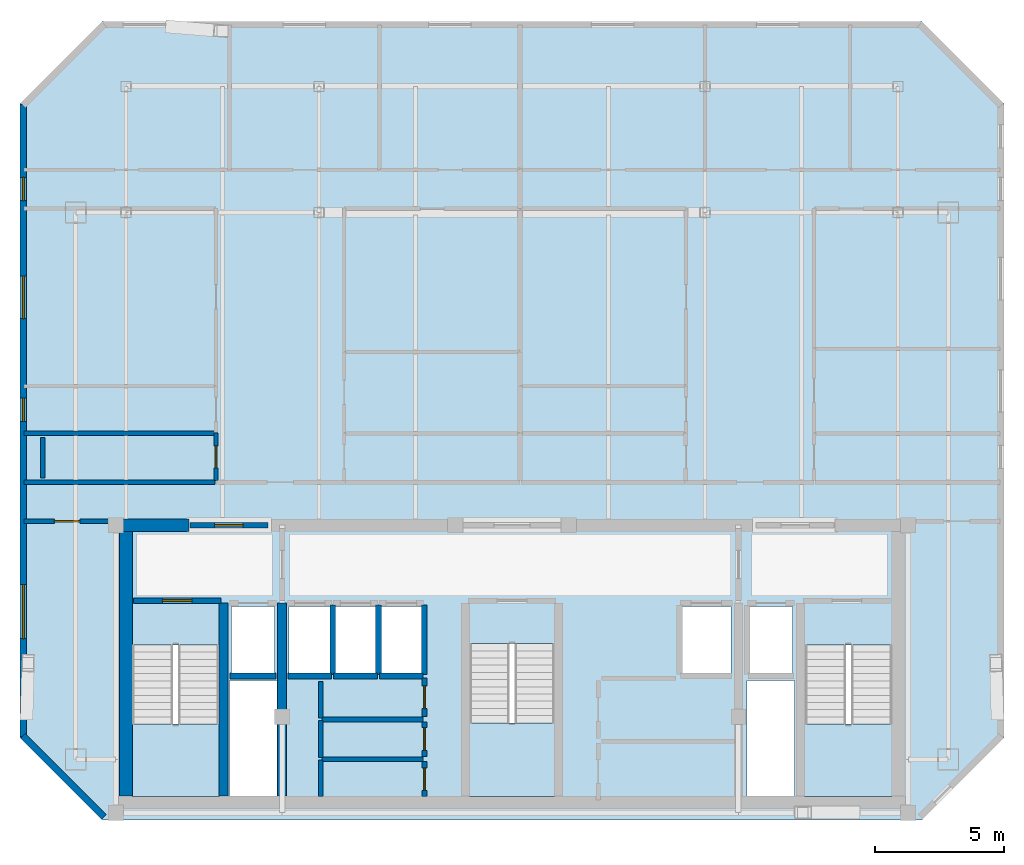
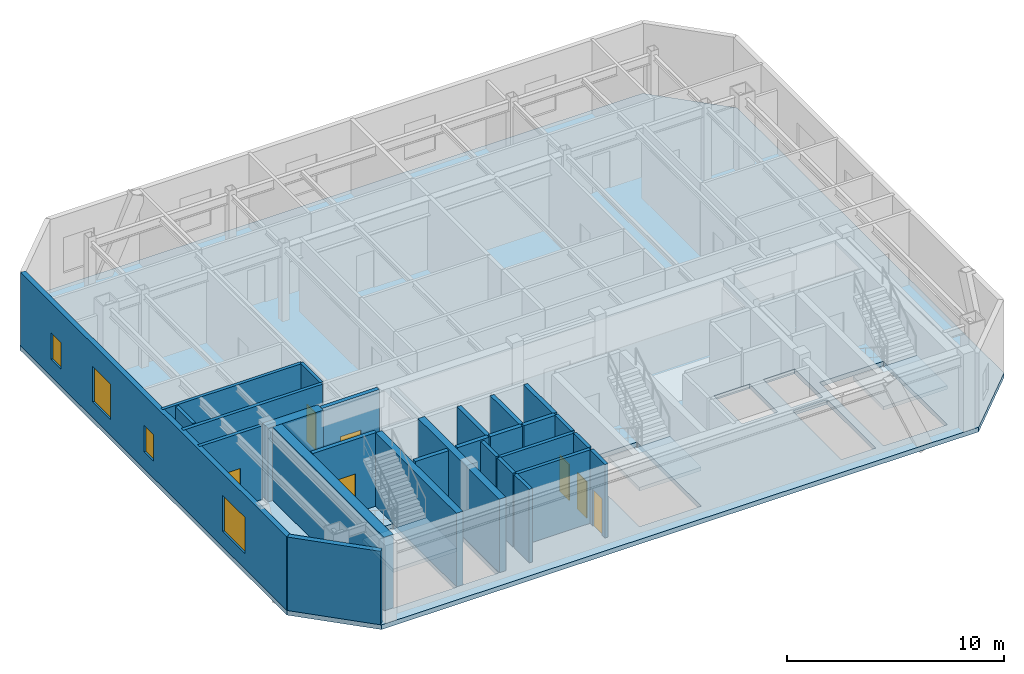
# One storey, part 2 of 7: 28 walls, 7 doors, 4 slabs, 4 windows, 11 openings, 3 elements without a shape of their own.
"""IFC4 building model written with IfcOpenShell, lengths in metres."""

from ifc_helpers import new_model, si_unit, direction, frame, frame_2d, origin, place, context, subcontext, project, spatial, polyline, rectangle, outline, extrude, material, layer, layer_set, type_object, element, fill, aggregate, save


model = new_model("IFC4")

# Units and contexts
model_context = context("Model", 3, precision=1e-05, world=origin(), true_north=direction((0.0, 1.0)))
body_context = subcontext(model_context, "Body", "Model", "MODEL_VIEW")
ifc_project = project(units=[si_unit("LENGTHUNIT", "METRE"), si_unit("AREAUNIT", "SQUARE_METRE"), si_unit("VOLUMEUNIT", "CUBIC_METRE"), si_unit("PLANEANGLEUNIT", "RADIAN"), si_unit("MASSUNIT", "GRAM", prefix="KILO")], contexts=[model_context])

# Site, building, storey
site_placement = place(None, origin())
site = spatial("IfcSite", under=ifc_project, at=site_placement, CompositionType="ELEMENT")
building_placement = place(site_placement, origin())
building = spatial("IfcBuilding", under=site, at=building_placement, Name="Ventersveld Concourse Tower", CompositionType="ELEMENT")
storey_placement = place(building_placement, frame((0.0, 0.0, 353.449951171875)))
storey = spatial("IfcBuildingStorey", under=building, at=storey_placement, Name="L87", CompositionType="ELEMENT", Elevation=353.449951171875)

# Slab
ifc_material_1 = material(Name="Concrete C50/60", Category="concrete")
ifc_layer_1 = layer(ifc_material_1, 0.260009765625)
ifc_layer_set_1 = layer_set([ifc_layer_1], Name="Concrete C50/60")
slab_type_1 = type_object("IfcSlabType", Name="SL-FLR-260", PredefinedType="FLOOR", material=ifc_layer_set_1)
slab_1_placement = place(storey_placement, frame((0.0, 0.0, -0.260009765625)))
element("IfcSlab", 1, at=slab_1_placement, inside=storey, type_object=slab_type_1, Name="L87 Composite Floor Slab", PredefinedType="FLOOR", context=body_context, shape_type="SweptSolid", body=[
    extrude(outline(polyline([(12.832763671875, 0.0), (44.667236328125, 0.0), (47.8671875, 3.199951171875), (47.8671875, 27.831298828125), (44.667236328125, 31.03125), (12.832763671875, 31.03125), (9.6328125, 27.831298828125), (9.6328125, 3.199951171875), (12.832763671875, 0.0)]), holes=[polyline([(13.97998046875, 6.794921875), (13.97998046875, 0.89990234375), (17.3798828125, 0.89990234375), (17.3798828125, 6.794921875), (13.97998046875, 6.794921875)]), polyline([(40.1201171875, 6.794921875), (40.1201171875, 0.89990234375), (43.52001953125, 0.89990234375), (43.52001953125, 6.794921875), (40.1201171875, 6.794921875)]), polyline([(27.10009765625, 6.844970703125), (27.10009765625, 0.89990234375), (30.39990234375, 0.89990234375), (30.39990234375, 6.844970703125), (27.10009765625, 6.844970703125)]), polyline([(17.85009765625, 5.699951171875), (19.530029296875, 5.699951171875), (19.530029296875, 8.300048828125), (17.85009765625, 8.300048828125), (17.85009765625, 5.699951171875)]), polyline([(37.969970703125, 5.699951171875), (39.64990234375, 5.699951171875), (39.64990234375, 8.300048828125), (37.969970703125, 8.300048828125), (37.969970703125, 5.699951171875)]), polyline([(35.35009765625, 5.699951171875), (37.25, 5.699951171875), (37.25, 8.300048828125), (35.35009765625, 8.300048828125), (35.35009765625, 5.699951171875)]), polyline([(20.090087890625, 5.699951171875), (21.68994140625, 5.699951171875), (21.68994140625, 8.300048828125), (20.090087890625, 8.300048828125), (20.090087890625, 5.699951171875)]), polyline([(21.8701171875, 5.699951171875), (23.469970703125, 5.699951171875), (23.469970703125, 8.300048828125), (21.8701171875, 8.300048828125), (21.8701171875, 5.699951171875)]), polyline([(23.64990234375, 5.699951171875), (25.25, 5.699951171875), (25.25, 8.300048828125), (23.64990234375, 8.300048828125), (23.64990234375, 5.699951171875)]), polyline([(17.780029296875, 0.919921875), (19.6201171875, 0.919921875), (19.6201171875, 5.419921875), (17.780029296875, 5.419921875), (17.780029296875, 0.919921875)]), polyline([(37.8798828125, 0.919921875), (39.719970703125, 0.919921875), (39.719970703125, 5.419921875), (37.8798828125, 5.419921875), (37.8798828125, 0.919921875)])]), origin(), (0.0, 0.0, 1.0), 0.260009765625),
])

# Stair, slab
stair_type_1 = type_object("IfcStairType", Name="ST-DOG-160", PredefinedType="HALF_TURN_STAIR", material=ifc_material_1)
stair_1_placement = place(storey_placement, origin())
stair_1 = element("IfcStair", 2, at=stair_1_placement, inside=storey, type_object=stair_type_1, Name="L87 Protected Tower Escape Stair ST-01", PredefinedType="HALF_TURN_STAIR")
ifc_layer_2 = layer(ifc_material_1, 0.199951171875)
ifc_layer_set_2 = layer_set([ifc_layer_2], Name="Concrete C50/60")
slab_type_2 = type_object("IfcSlabType", Name="SL-LND-200", PredefinedType="LANDING", material=ifc_layer_set_2)
slab_2_placement = place(storey_placement, frame((0.0, 0.0, 2.0)))
slab_2 = element("IfcSlab", 3, at=slab_2_placement, type_object=slab_type_2, Name="ST-01 landing 1", PredefinedType="LANDING", context=body_context, shape_type="SweptSolid", body=[
    extrude(outline(polyline([(13.97998046875, 3.719970703125), (13.97998046875, 0.89990234375), (17.3798828125, 0.89990234375), (17.3798828125, 3.719970703125), (13.97998046875, 3.719970703125)])), origin(), (0.0, 0.0, 1.0), 0.199951171875),
])
aggregate(stair_1, [slab_2])

stair_2_placement = place(storey_placement, origin())
stair_2 = element("IfcStair", 4, at=stair_2_placement, inside=storey, type_object=stair_type_1, Name="L87 Protected Tower Escape Stair ST-02", PredefinedType="HALF_TURN_STAIR")
slab_3_placement = place(storey_placement, frame((0.0, 0.0, 2.0)))
slab_3 = element("IfcSlab", 5, at=slab_3_placement, type_object=slab_type_2, Name="ST-02 landing 1", PredefinedType="LANDING", context=body_context, shape_type="SweptSolid", body=[
    extrude(outline(polyline([(40.1201171875, 3.719970703125), (40.1201171875, 0.89990234375), (43.52001953125, 0.89990234375), (43.52001953125, 3.719970703125), (40.1201171875, 3.719970703125)])), origin(), (0.0, 0.0, 1.0), 0.199951171875),
])
aggregate(stair_2, [slab_3])

stair_type_2 = type_object("IfcStairType", Name="ST-DOG-155", PredefinedType="HALF_TURN_STAIR", material=ifc_material_1)
stair_3_placement = place(storey_placement, origin())
stair_3 = element("IfcStair", 6, at=stair_3_placement, inside=storey, type_object=stair_type_2, Name="L87 Protected Central Core Escape Stair ST-03", PredefinedType="HALF_TURN_STAIR")
slab_4_placement = place(storey_placement, frame((0.0, 0.0, 2.0)))
slab_4 = element("IfcSlab", 7, at=slab_4_placement, type_object=slab_type_2, Name="ST-03 landing 1", PredefinedType="LANDING", context=body_context, shape_type="SweptSolid", body=[
    extrude(outline(polyline([(27.10009765625, 3.77001953125), (27.10009765625, 0.89990234375), (30.39990234375, 0.89990234375), (30.39990234375, 3.77001953125), (27.10009765625, 3.77001953125)])), origin(), (0.0, 0.0, 1.0), 0.199951171875),
])
aggregate(stair_3, [slab_4])

# Walls
ifc_layer_3 = layer(ifc_material_1, 0.35009765625)
ifc_layer_set_3 = layer_set([ifc_layer_3], Name="Concrete C50/60")
wall_type_1 = type_object("IfcWallType", Name="WL-CORE-350U", PredefinedType="SHEAR", material=ifc_layer_set_3)
for number, where, z_axis, x_axis, name in (
    (8, (17.5400390625, 0.919921875, 0.0), (0.0, 0.0, 1.0), (0.0, 1.0, 0.0), "L87 Core Internal Shear Web W-ST1-E"),
    (9, (19.820068359375, 0.919921875, 0.0), (0.0, 0.0, 1.0), (0.0, 1.0, 0.0), "L87 Core Internal Shear Web W-FF1-E"),
):
    element("IfcWall", number, at=place(storey_placement, frame(where, z_axis=z_axis, x_axis=x_axis)), inside=storey, type_object=wall_type_1, Name=name, PredefinedType="SHEAR", context=body_context, shape_type="SweptSolid", body=[
        extrude(rectangle(XDim=7.5, YDim=0.35009765625, at=frame_2d((3.75, 0.0))), origin(), (0.0, 0.0, 1.0), 4.14013671875),
    ])
ifc_layer_4 = layer(ifc_material_1, 0.5)
ifc_layer_set_4 = layer_set([ifc_layer_4], Name="Concrete C50/60")
wall_type_2 = type_object("IfcWallType", Name="WL-CORE-500", PredefinedType="SHEAR", material=ifc_layer_set_4)
wall_1_placement = place(storey_placement, frame((13.75, 0.919921875, 0.0), z_axis=(0.0, 0.0, 1.0), x_axis=(0.0, 1.0, 0.0)))
element("IfcWall", 10, at=wall_1_placement, inside=storey, type_object=wall_type_2, Name="L87 Rear Core West Shear Wall", PredefinedType="SHEAR", context=body_context, shape_type="SweptSolid", body=[
    extrude(rectangle(XDim=10.530029296875, YDim=0.5, at=frame_2d((5.26513671875, 0.0))), origin(), (0.0, 0.0, 1.0), 4.14013671875),
])
wall_2_placement = place(storey_placement, frame((13.25, 11.449951171875, 0.0), z_axis=(0.0, 0.0, 1.0), x_axis=(1.0, 0.0, 0.0)))
element("IfcWall", 11, at=wall_2_placement, inside=storey, type_object=wall_type_2, Name="L87 Rear Core North Shear Wall NW", PredefinedType="SHEAR", context=body_context, shape_type="SweptSolid", body=[
    extrude(rectangle(XDim=2.949951171875, YDim=0.5, at=frame_2d((1.47509765625, 0.0))), origin(), (0.0, 0.0, 1.0), 4.14013671875),
])

# Wall, opening, door
ifc_material_2 = material(Name="Fire-rated autoclaved aerated masonry blockwork", Category="masonry")
ifc_layer_5 = layer(ifc_material_2, 0.179931640625)
ifc_layer_set_5 = layer_set([ifc_layer_5], Name="Fire-rated autoclaved aerated masonry blockwork")
wall_type_3 = type_object("IfcWallType", Name="WL-CORR-180", PredefinedType="PARTITIONING", material=ifc_layer_set_5)
wall_3_placement = place(storey_placement, frame((25.35009765625, 0.89990234375, 0.0), z_axis=(0.0, 0.0, 1.0), x_axis=(0.0, 1.0, 0.0)))
wall_3 = element("IfcWall", 12, at=wall_3_placement, inside=storey, type_object=wall_type_3, Name="L87 Core Passage Wall SP-L87-RECB1S", PredefinedType="PARTITIONING", context=body_context, shape_type="SweptSolid", body=[
    extrude(rectangle(XDim=1.3701171875, YDim=0.179931640625, at=frame_2d((0.68505859375, 0.0))), origin(), (0.0, 0.0, 1.0), 4.14013671875),
])
opening_1_placement = place(wall_3_placement, frame((0.2451171875, 0.0, 0.0)))
opening_1 = element("IfcOpeningElement", 13, at=opening_1_placement, cuts=wall_3, Name="Opening FD5", PredefinedType="OPENING", context=body_context, shape_type="SweptSolid", body=[
    extrude(rectangle(XDim=0.8798828125, YDim=2.050048828125, at=frame_2d((0.43994140625, 1.02490234375))), frame((0.0, 0.10009765625, 0.0), z_axis=(0.0, -1.0, 0.0), x_axis=(1.0, 0.0, 0.0)), (0.0, 0.0, 1.0), 0.199951171875),
])
ifc_material_3 = material(Name="Galvanised painted steel", Category="steel")
door_type_1 = type_object("IfcDoorType", Name="DR-RISER-088", OperationType="NOTDEFINED", PredefinedType="DOOR", material=ifc_material_3)
door_1_placement = place(opening_1_placement, origin())
door_1 = element("IfcDoor", 14, at=door_1_placement, inside=storey, type_object=door_type_1, Name="L87 Core Room Door L87 Reclaimed Core Wine Cellar Store (CD-L87-3872)", OperationType="SINGLE_SWING_LEFT", OverallHeight=2.050048828125, OverallWidth=0.8798828125, PredefinedType="DOOR", context=body_context, shape_type="SweptSolid", body=[
    extrude(rectangle(XDim=0.8798828125, YDim=2.050048828125, at=frame_2d((0.43994140625, 1.02490234375))), frame((0.0, 0.02490234375, 0.0), z_axis=(0.0, -1.0, 0.0), x_axis=(1.0, 0.0, 0.0)), (0.0, 0.0, 1.0), 0.050048828125),
])
fill(opening_1, door_1)

# Walls
wall_4_placement = place(storey_placement, frame((21.360107421875, 2.360107421875, 0.0), z_axis=(0.0, 0.0, 1.0), x_axis=(1.0, 0.0, 0.0)))
element("IfcWall", 15, at=wall_4_placement, inside=storey, type_object=wall_type_3, Name="L87 Core Top Wall SP-L87-RECB1S", PredefinedType="PARTITIONING", context=body_context, shape_type="SweptSolid", body=[
    extrude(rectangle(XDim=3.93994140625, YDim=0.179931640625, at=frame_2d((1.969970703125, 0.0))), origin(), (0.0, 0.0, 1.0), 4.14013671875),
])
wall_5_placement = place(storey_placement, frame((21.320068359375, 0.909912109375, 0.0), z_axis=(0.0, 0.0, 1.0), x_axis=(0.0, 1.0, 0.0)))
element("IfcWall", 16, at=wall_5_placement, inside=storey, type_object=wall_type_3, Name="L87 Core West Wall SP-L87-RECB1S", PredefinedType="PARTITIONING", context=body_context, shape_type="SweptSolid", body=[
    extrude(rectangle(XDim=1.41015625, YDim=0.179931640625, at=frame_2d((0.705078125, 0.0))), origin(), (0.0, 0.0, 1.0), 4.14013671875),
])

# Wall, opening, door
wall_6_placement = place(storey_placement, frame((25.35009765625, 2.469970703125, 0.0), z_axis=(0.0, 0.0, 1.0), x_axis=(0.0, 1.0, 0.0)))
wall_6 = element("IfcWall", 17, at=wall_6_placement, inside=storey, type_object=wall_type_3, Name="L87 Core Passage Wall SP-L87-RECB1M", PredefinedType="PARTITIONING", context=body_context, shape_type="SweptSolid", body=[
    extrude(rectangle(XDim=1.340087890625, YDim=0.179931640625, at=frame_2d((0.669921875, 0.0))), origin(), (0.0, 0.0, 1.0), 4.14013671875),
])
opening_2_placement = place(wall_6_placement, frame((0.22998046875, 0.0, 0.0)))
opening_2 = element("IfcOpeningElement", 18, at=opening_2_placement, cuts=wall_6, Name="Opening FD5", PredefinedType="OPENING", context=body_context, shape_type="SweptSolid", body=[
    extrude(rectangle(XDim=0.8798828125, YDim=2.050048828125, at=frame_2d((0.43994140625, 1.02490234375))), frame((0.0, 0.10009765625, 0.0), z_axis=(0.0, -1.0, 0.0), x_axis=(1.0, 0.0, 0.0)), (0.0, 0.0, 1.0), 0.199951171875),
])
door_2_placement = place(opening_2_placement, origin())
door_2 = element("IfcDoor", 19, at=door_2_placement, inside=storey, type_object=door_type_1, Name="L87 Core Room Door L87 Reclaimed Core Archive Store (CD-L87-3873)", OperationType="SINGLE_SWING_RIGHT", OverallHeight=2.050048828125, OverallWidth=0.8798828125, PredefinedType="DOOR", context=body_context, shape_type="SweptSolid", body=[
    extrude(rectangle(XDim=0.8798828125, YDim=2.050048828125, at=frame_2d((0.43994140625, 1.02490234375))), frame((0.0, 0.02490234375, 0.0), z_axis=(0.0, -1.0, 0.0), x_axis=(1.0, 0.0, 0.0)), (0.0, 0.0, 1.0), 0.050048828125),
])
fill(opening_2, door_2)

# Walls
wall_7_placement = place(storey_placement, frame((21.360107421875, 3.89990234375, 0.0), z_axis=(0.0, 0.0, 1.0), x_axis=(1.0, 0.0, 0.0)))
element("IfcWall", 20, at=wall_7_placement, inside=storey, type_object=wall_type_3, Name="L87 Core Top Wall SP-L87-RECB1M", PredefinedType="PARTITIONING", context=body_context, shape_type="SweptSolid", body=[
    extrude(rectangle(XDim=3.93994140625, YDim=0.179931640625, at=frame_2d((1.969970703125, 0.0))), origin(), (0.0, 0.0, 1.0), 4.14013671875),
])
wall_8_placement = place(storey_placement, frame((21.320068359375, 2.419921875, 0.0), z_axis=(0.0, 0.0, 1.0), x_axis=(0.0, 1.0, 0.0)))
element("IfcWall", 21, at=wall_8_placement, inside=storey, type_object=wall_type_3, Name="L87 Core West Wall SP-L87-RECB1M", PredefinedType="PARTITIONING", context=body_context, shape_type="SweptSolid", body=[
    extrude(rectangle(XDim=1.440185546875, YDim=0.179931640625, at=frame_2d((0.72021484375, 0.0))), origin(), (0.0, 0.0, 1.0), 4.14013671875),
])

# Wall, opening, door
wall_9_placement = place(storey_placement, frame((25.35009765625, 4.010009765625, 0.0), z_axis=(0.0, 0.0, 1.0), x_axis=(0.0, 1.0, 0.0)))
wall_9 = element("IfcWall", 22, at=wall_9_placement, inside=storey, type_object=wall_type_3, Name="L87 Core Passage Wall SP-L87-RECB1N", PredefinedType="PARTITIONING", context=body_context, shape_type="SweptSolid", body=[
    extrude(rectangle(XDim=1.510009765625, YDim=0.179931640625, at=frame_2d((0.7548828125, 0.0))), origin(), (0.0, 0.0, 1.0), 4.14013671875),
])
opening_3_placement = place(wall_9_placement, frame((0.31494140625, 0.0, 0.0)))
opening_3 = element("IfcOpeningElement", 23, at=opening_3_placement, cuts=wall_9, Name="Opening FD5", PredefinedType="OPENING", context=body_context, shape_type="SweptSolid", body=[
    extrude(rectangle(XDim=0.8798828125, YDim=2.050048828125, at=frame_2d((0.43994140625, 1.02490234375))), frame((0.0, 0.10009765625, 0.0), z_axis=(0.0, -1.0, 0.0), x_axis=(1.0, 0.0, 0.0)), (0.0, 0.0, 1.0), 0.199951171875),
])
door_3_placement = place(opening_3_placement, origin())
door_3 = element("IfcDoor", 24, at=door_3_placement, inside=storey, type_object=door_type_1, Name="L87 Core Room Door L87 Reclaimed Core Pram and Cycle Store (CD-L87-3874)", OperationType="SINGLE_SWING_LEFT", OverallHeight=2.050048828125, OverallWidth=0.8798828125, PredefinedType="DOOR", context=body_context, shape_type="SweptSolid", body=[
    extrude(rectangle(XDim=0.8798828125, YDim=2.050048828125, at=frame_2d((0.43994140625, 1.02490234375))), frame((0.0, 0.02490234375, 0.0), z_axis=(0.0, -1.0, 0.0), x_axis=(1.0, 0.0, 0.0)), (0.0, 0.0, 1.0), 0.050048828125),
])
fill(opening_3, door_3)

# Wall
wall_10_placement = place(storey_placement, frame((21.320068359375, 3.9599609375, 0.0), z_axis=(0.0, 0.0, 1.0), x_axis=(0.0, 1.0, 0.0)))
element("IfcWall", 25, at=wall_10_placement, inside=storey, type_object=wall_type_3, Name="L87 Core West Wall SP-L87-RECB1N", PredefinedType="PARTITIONING", context=body_context, shape_type="SweptSolid", body=[
    extrude(rectangle(XDim=1.419921875, YDim=0.179931640625, at=frame_2d((0.7099609375, 0.0))), origin(), (0.0, 0.0, 1.0), 4.14013671875),
])

# Wall, opening, door
wall_11_placement = place(storey_placement, frame((9.7822265625, 11.60009765625, 0.0), z_axis=(0.0, 0.0, 1.0), x_axis=(1.0, 0.0, 0.0)))
wall_11 = element("IfcWall", 26, at=wall_11_placement, inside=storey, type_object=wall_type_3, Name="L87 Interior Partition SP-L87-SW-GAL-SP-L87-COR", PredefinedType="PARTITIONING", context=body_context, shape_type="SweptSolid", body=[
    extrude(rectangle(XDim=3.36279296875, YDim=0.179931640625, at=frame_2d((1.681396484375, 0.0))), origin(), (0.0, 0.0, 1.0), 4.14013671875),
])
opening_4_placement = place(wall_11_placement, frame((1.181396484375, 0.0, 0.0)))
opening_4 = element("IfcOpeningElement", 27, at=opening_4_placement, cuts=wall_11, Name="Opening FD3", PredefinedType="OPENING", context=body_context, shape_type="SweptSolid", body=[
    extrude(rectangle(XDim=1.0, YDim=2.14990234375, at=frame_2d((0.5, 1.074951171875))), frame((0.0, 0.10009765625, 0.0), z_axis=(0.0, -1.0, 0.0), x_axis=(1.0, 0.0, 0.0)), (0.0, 0.0, 1.0), 0.199951171875),
])
ifc_material_4 = material(Name="Solid-core hardwood veneer timber", Category="wood")
door_type_2 = type_object("IfcDoorType", Name="DR-FLAT-100", OperationType="NOTDEFINED", PredefinedType="DOOR", material=ifc_material_4)
door_4_placement = place(opening_4_placement, origin())
door_4 = element("IfcDoor", 28, at=door_4_placement, inside=storey, type_object=door_type_2, Name="L87 Interior Door SP-L87-SW-GAL to SP-L87-COR (D-L87-3877)", OperationType="SINGLE_SWING_LEFT", OverallHeight=2.14990234375, OverallWidth=1.0, PredefinedType="DOOR", context=body_context, shape_type="SweptSolid", body=[
    extrude(rectangle(XDim=1.0, YDim=2.14990234375, at=frame_2d((0.5, 1.074951171875))), frame((0.0, 0.02490234375, 0.0), z_axis=(0.0, -1.0, 0.0), x_axis=(1.0, 0.0, 0.0)), (0.0, 0.0, 1.0), 0.050048828125),
])
fill(opening_4, door_4)

# Walls
wall_12_placement = place(storey_placement, frame((9.7822265625, 13.114990234375, 0.0), z_axis=(0.0, 0.0, 1.0), x_axis=(1.0, 0.0, 0.0)))
element("IfcWall", 29, at=wall_12_placement, inside=storey, type_object=wall_type_3, Name="L87 Interior Partition SP-L87-COR-SP-L87-87N1-BATH", PredefinedType="PARTITIONING", context=body_context, shape_type="SweptSolid", body=[
    extrude(rectangle(XDim=7.435302734375, YDim=0.179931640625, at=frame_2d((3.7177734375, 0.0))), origin(), (0.0, 0.0, 1.0), 4.14013671875),
])
ifc_layer_6 = layer(ifc_material_2, 0.219970703125)
ifc_layer_set_6 = layer_set([ifc_layer_6], Name="Fire-rated autoclaved aerated masonry blockwork")
wall_type_4 = type_object("IfcWallType", Name="WL-HOIST-220", PredefinedType="SOLIDWALL", material=ifc_layer_set_6)
wall_13_placement = place(storey_placement, frame((17.800048828125, 5.590087890625, 0.0), z_axis=(0.0, 0.0, 1.0), x_axis=(1.0, 0.0, 0.0)))
element("IfcWall", 30, at=wall_13_placement, inside=storey, type_object=wall_type_4, Name="L87 Lift Hoistway Back Wall FFL-01", PredefinedType="SOLIDWALL", context=body_context, shape_type="SweptSolid", body=[
    extrude(rectangle(XDim=1.780029296875, YDim=0.219970703125, at=frame_2d((0.89013671875, 0.0))), origin(), (0.0, 0.0, 1.0), 4.14013671875),
])
wall_14_placement = place(storey_placement, frame((20.0400390625, 5.590087890625, 0.0), z_axis=(0.0, 0.0, 1.0), x_axis=(1.0, 0.0, 0.0)))
element("IfcWall", 31, at=wall_14_placement, inside=storey, type_object=wall_type_4, Name="L87 Lift Hoistway Back Wall PH-01", PredefinedType="SOLIDWALL", context=body_context, shape_type="SweptSolid", body=[
    extrude(rectangle(XDim=1.699951171875, YDim=0.219970703125, at=frame_2d((0.85009765625, 0.0))), origin(), (0.0, 0.0, 1.0), 4.14013671875),
])
wall_15_placement = place(storey_placement, frame((21.780029296875, 5.64990234375, 0.0), z_axis=(0.0, 0.0, 1.0), x_axis=(0.0, 1.0, 0.0)))
element("IfcWall", 32, at=wall_15_placement, inside=storey, type_object=wall_type_4, Name="L87 Lift Hoistway Side Wall PH-01E", PredefinedType="SOLIDWALL", context=body_context, shape_type="SweptSolid", body=[
    extrude(rectangle(XDim=2.7001953125, YDim=0.219970703125, at=frame_2d((1.35009765625, 0.0))), origin(), (0.0, 0.0, 1.0), 4.14013671875),
])
wall_16_placement = place(storey_placement, frame((21.820068359375, 5.590087890625, 0.0), z_axis=(0.0, 0.0, 1.0), x_axis=(1.0, 0.0, 0.0)))
element("IfcWall", 33, at=wall_16_placement, inside=storey, type_object=wall_type_4, Name="L87 Lift Hoistway Back Wall PH-02", PredefinedType="SOLIDWALL", context=body_context, shape_type="SweptSolid", body=[
    extrude(rectangle(XDim=1.699951171875, YDim=0.219970703125, at=frame_2d((0.85009765625, 0.0))), origin(), (0.0, 0.0, 1.0), 4.14013671875),
])
wall_17_placement = place(storey_placement, frame((23.56005859375, 5.64990234375, 0.0), z_axis=(0.0, 0.0, 1.0), x_axis=(0.0, 1.0, 0.0)))
element("IfcWall", 34, at=wall_17_placement, inside=storey, type_object=wall_type_4, Name="L87 Lift Hoistway Side Wall PH-02E", PredefinedType="SOLIDWALL", context=body_context, shape_type="SweptSolid", body=[
    extrude(rectangle(XDim=2.7001953125, YDim=0.219970703125, at=frame_2d((1.35009765625, 0.0))), origin(), (0.0, 0.0, 1.0), 4.14013671875),
])
wall_18_placement = place(storey_placement, frame((23.60009765625, 5.590087890625, 0.0), z_axis=(0.0, 0.0, 1.0), x_axis=(1.0, 0.0, 0.0)))
element("IfcWall", 35, at=wall_18_placement, inside=storey, type_object=wall_type_4, Name="L87 Lift Hoistway Back Wall PH-03", PredefinedType="SOLIDWALL", context=body_context, shape_type="SweptSolid", body=[
    extrude(rectangle(XDim=1.699951171875, YDim=0.219970703125, at=frame_2d((0.85009765625, 0.0))), origin(), (0.0, 0.0, 1.0), 4.14013671875),
])
wall_19_placement = place(storey_placement, frame((25.340087890625, 5.64990234375, 0.0), z_axis=(0.0, 0.0, 1.0), x_axis=(0.0, 1.0, 0.0)))
element("IfcWall", 36, at=wall_19_placement, inside=storey, type_object=wall_type_4, Name="L87 Lift Hoistway Side Wall PH-03E", PredefinedType="SOLIDWALL", context=body_context, shape_type="SweptSolid", body=[
    extrude(rectangle(XDim=2.7001953125, YDim=0.219970703125, at=frame_2d((1.35009765625, 0.0))), origin(), (0.0, 0.0, 1.0), 4.14013671875),
])

# Wall, opening, door
wall_20_placement = place(storey_placement, frame((14.0400390625, 8.52001953125, 0.0), z_axis=(0.0, 0.0, 1.0), x_axis=(1.0, 0.0, 0.0)))
wall_20 = element("IfcWall", 37, at=wall_20_placement, inside=storey, type_object=wall_type_4, Name="L87 Escape Stair ST01 Fire Wall", PredefinedType="SOLIDWALL", context=body_context, shape_type="SweptSolid", body=[
    extrude(rectangle(XDim=3.39990234375, YDim=0.219970703125, at=frame_2d((1.699951171875, 0.0))), origin(), (0.0, 0.0, 1.0), 4.14013671875),
])
opening_5_placement = place(wall_20_placement, frame((1.125, 0.0, 0.0)))
opening_5 = element("IfcOpeningElement", 38, at=opening_5_placement, cuts=wall_20, Name="Opening FD1", PredefinedType="OPENING", context=body_context, shape_type="SweptSolid", body=[
    extrude(rectangle(XDim=1.14990234375, YDim=2.199951171875, at=frame_2d((0.574951171875, 1.10009765625))), frame((0.0, 0.1201171875, 0.0), z_axis=(0.0, -1.0, 0.0), x_axis=(1.0, 0.0, 0.0)), (0.0, 0.0, 1.0), 0.239990234375),
])
door_type_3 = type_object("IfcDoorType", Name="DR-STAIR-115", OperationType="NOTDEFINED", PredefinedType="DOOR", material=ifc_material_3)
door_5_placement = place(opening_5_placement, origin())
door_5 = element("IfcDoor", 39, at=door_5_placement, inside=storey, type_object=door_type_3, Name="L87 Escape Stair Door ST01 (SD-L87-3864)", OperationType="SINGLE_SWING_LEFT", OverallHeight=2.199951171875, OverallWidth=1.14990234375, PredefinedType="DOOR", context=body_context, shape_type="SweptSolid", body=[
    extrude(rectangle(XDim=1.14990234375, YDim=2.199951171875, at=frame_2d((0.574951171875, 1.10009765625))), frame((0.0, 0.02490234375, 0.0), z_axis=(0.0, -1.0, 0.0), x_axis=(1.0, 0.0, 0.0)), (0.0, 0.0, 1.0), 0.050048828125),
])
fill(opening_5, door_5)

wall_21_placement = place(storey_placement, frame((16.22998046875, 11.449951171875, 0.0), z_axis=(0.0, 0.0, 1.0), x_axis=(1.0, 0.0, 0.0)))
wall_21 = element("IfcWall", 40, at=wall_21_placement, inside=storey, type_object=wall_type_4, Name="L87 Core North Fire Portal FFLW-OUT", PredefinedType="SOLIDWALL", context=body_context, shape_type="SweptSolid", body=[
    extrude(rectangle(XDim=3.0400390625, YDim=0.219970703125, at=frame_2d((1.52001953125, 0.0))), origin(), (0.0, 0.0, 1.0), 4.14013671875),
])
opening_6_placement = place(wall_21_placement, frame((0.969970703125, 0.0, 0.0)))
opening_6 = element("IfcOpeningElement", 41, at=opening_6_placement, cuts=wall_21, Name="Opening FD2", PredefinedType="OPENING", context=body_context, shape_type="SweptSolid", body=[
    extrude(rectangle(XDim=1.10009765625, YDim=2.199951171875, at=frame_2d((0.550048828125, 1.10009765625))), frame((0.0, 0.1201171875, 0.0), z_axis=(0.0, -1.0, 0.0), x_axis=(1.0, 0.0, 0.0)), (0.0, 0.0, 1.0), 0.239990234375),
])
door_type_4 = type_object("IfcDoorType", Name="DR-FFL-110", OperationType="NOTDEFINED", PredefinedType="DOOR", material=ifc_material_3)
door_6_placement = place(opening_6_placement, origin())
door_6 = element("IfcDoor", 42, at=door_6_placement, inside=storey, type_object=door_type_4, Name="L87 Core Lobby Fire Door FFLW-OUT (FD-L87-3869)", OperationType="SINGLE_SWING_RIGHT", OverallHeight=2.199951171875, OverallWidth=1.10009765625, PredefinedType="DOOR", context=body_context, shape_type="SweptSolid", body=[
    extrude(rectangle(XDim=1.10009765625, YDim=2.199951171875, at=frame_2d((0.550048828125, 1.10009765625))), frame((0.0, 0.02490234375, 0.0), z_axis=(0.0, -1.0, 0.0), x_axis=(1.0, 0.0, 0.0)), (0.0, 0.0, 1.0), 0.050048828125),
])
fill(opening_6, door_6)

# Wall, openings, windows
ifc_material_5 = material(Name="Precast concrete C45/55", Category="concrete")
ifc_layer_7 = layer(ifc_material_5, 0.260009765625)
ifc_layer_set_7 = layer_set([ifc_layer_7], Name="Precast concrete C45/55")
wall_type_5 = type_object("IfcWallType", Name="WL-PREC-260", PredefinedType="SOLIDWALL", material=ifc_layer_set_7)
wall_22_placement = place(storey_placement, frame((9.7626953125, 27.791259765625, 0.0), z_axis=(0.0, 0.0, 1.0), x_axis=(0.0, -1.0, 0.0)))
wall_22 = element("IfcWall", 43, at=wall_22_placement, inside=storey, type_object=wall_type_5, Name="L87 Highveld Precast Facade Wall E07", PredefinedType="SOLIDWALL", context=body_context, shape_type="SweptSolid", body=[
    extrude(rectangle(XDim=24.55126953125, YDim=0.260009765625, at=frame_2d((12.275634765625, 0.0))), origin(), (0.0, 0.0, 1.0), 4.14013671875),
])
opening_7_placement = place(wall_22_placement, frame((18.65087890625, 0.0, 0.85009765625)))
opening_7 = element("IfcOpeningElement", 44, at=opening_7_placement, cuts=wall_22, Name="Opening W7", PredefinedType="OPENING", context=body_context, shape_type="SweptSolid", body=[
    extrude(rectangle(XDim=2.10009765625, YDim=2.050048828125, at=frame_2d((1.050048828125, 1.02490234375))), frame((0.0, 0.14013671875, 0.0), z_axis=(0.0, -1.0, 0.0), x_axis=(1.0, 0.0, 0.0)), (0.0, 0.0, 1.0), 0.280029296875),
])
opening_8_placement = place(wall_22_placement, frame((2.830078125, 0.0, 0.949951171875)))
opening_8 = element("IfcOpeningElement", 45, at=opening_8_placement, cuts=wall_22, Name="Opening W4", PredefinedType="OPENING", context=body_context, shape_type="SweptSolid", body=[
    extrude(rectangle(XDim=0.89990234375, YDim=1.5, at=frame_2d((0.449951171875, 0.75))), frame((0.0, 0.14013671875, 0.0), z_axis=(0.0, -1.0, 0.0), x_axis=(1.0, 0.0, 0.0)), (0.0, 0.0, 1.0), 0.280029296875),
])
opening_9_placement = place(wall_22_placement, frame((11.40625, 0.0, 0.949951171875)))
opening_9 = element("IfcOpeningElement", 46, at=opening_9_placement, cuts=wall_22, Name="Opening W4", PredefinedType="OPENING", context=body_context, shape_type="SweptSolid", body=[
    extrude(rectangle(XDim=0.89990234375, YDim=1.5, at=frame_2d((0.449951171875, 0.75))), frame((0.0, 0.14013671875, 0.0), z_axis=(0.0, -1.0, 0.0), x_axis=(1.0, 0.0, 0.0)), (0.0, 0.0, 1.0), 0.280029296875),
])
opening_10_placement = place(wall_22_placement, frame((6.66064453125, 0.0, 0.8798828125)))
opening_10 = element("IfcOpeningElement", 47, at=opening_10_placement, cuts=wall_22, Name="Opening W6", PredefinedType="OPENING", context=body_context, shape_type="SweptSolid", body=[
    extrude(rectangle(XDim=1.64990234375, YDim=2.0, at=frame_2d((0.824951171875, 1.0))), frame((0.0, 0.14013671875, 0.0), z_axis=(0.0, -1.0, 0.0), x_axis=(1.0, 0.0, 0.0)), (0.0, 0.0, 1.0), 0.280029296875),
])
ifc_material_6 = material(Name="Tempered acoustic Low-E IGU", Category="glass")
window_type_1 = type_object("IfcWindowType", Name="WIN-090x150", PartitioningType="SINGLE_PANEL", PredefinedType="WINDOW", material=ifc_material_6)
window_1_placement = place(opening_8_placement, origin())
window_1 = element("IfcWindow", 48, at=window_1_placement, inside=storey, type_object=window_type_1, Name="L87 Punched Low-E Window W-1217", OverallHeight=1.5, OverallWidth=0.89990234375, PartitioningType="SINGLE_PANEL", PredefinedType="WINDOW", context=body_context, shape_type="SweptSolid", body=[
    extrude(rectangle(XDim=0.89990234375, YDim=1.5, at=frame_2d((0.449951171875, 0.75))), frame((0.0, 0.030029296875, 0.0), z_axis=(0.0, -1.0, 0.0), x_axis=(1.0, 0.0, 0.0)), (0.0, 0.0, 1.0), 0.06005859375),
])
fill(opening_8, window_1)
window_2_placement = place(opening_9_placement, origin())
window_2 = element("IfcWindow", 49, at=window_2_placement, inside=storey, type_object=window_type_1, Name="L87 Punched Low-E Window W-1218", OverallHeight=1.5, OverallWidth=0.89990234375, PartitioningType="SINGLE_PANEL", PredefinedType="WINDOW", context=body_context, shape_type="SweptSolid", body=[
    extrude(rectangle(XDim=0.89990234375, YDim=1.5, at=frame_2d((0.449951171875, 0.75))), frame((0.0, 0.030029296875, 0.0), z_axis=(0.0, -1.0, 0.0), x_axis=(1.0, 0.0, 0.0)), (0.0, 0.0, 1.0), 0.06005859375),
])
fill(opening_9, window_2)
window_type_2 = type_object("IfcWindowType", Name="WIN-165x200", PartitioningType="SINGLE_PANEL", PredefinedType="WINDOW", material=ifc_material_6)
window_3_placement = place(opening_10_placement, origin())
window_3 = element("IfcWindow", 50, at=window_3_placement, inside=storey, type_object=window_type_2, Name="L87 Punched Low-E Window W-1219", OverallHeight=2.0, OverallWidth=1.64990234375, PartitioningType="SINGLE_PANEL", PredefinedType="WINDOW", context=body_context, shape_type="SweptSolid", body=[
    extrude(rectangle(XDim=1.64990234375, YDim=2.0, at=frame_2d((0.824951171875, 1.0))), frame((0.0, 0.030029296875, 0.0), z_axis=(0.0, -1.0, 0.0), x_axis=(1.0, 0.0, 0.0)), (0.0, 0.0, 1.0), 0.06005859375),
])
fill(opening_10, window_3)
window_type_3 = type_object("IfcWindowType", Name="WIN-210x205", PartitioningType="SINGLE_PANEL", PredefinedType="WINDOW", material=ifc_material_6)
window_4_placement = place(opening_7_placement, origin())
window_4 = element("IfcWindow", 51, at=window_4_placement, inside=storey, type_object=window_type_3, Name="L87 Punched Low-E Window W-1215", OverallHeight=2.050048828125, OverallWidth=2.10009765625, PartitioningType="SINGLE_PANEL", PredefinedType="WINDOW", context=body_context, shape_type="SweptSolid", body=[
    extrude(rectangle(XDim=2.10009765625, YDim=2.050048828125, at=frame_2d((1.050048828125, 1.02490234375))), frame((0.0, 0.030029296875, 0.0), z_axis=(0.0, -1.0, 0.0), x_axis=(1.0, 0.0, 0.0)), (0.0, 0.0, 1.0), 0.06005859375),
])
fill(opening_7, window_4)

# Wall
wall_23_placement = place(storey_placement, frame((9.7529296875, 3.263671875, 0.0), z_axis=(0.0, 0.0, 1.0), x_axis=(0.707106781187, -0.707106781187, 0.0)))
element("IfcWall", 52, at=wall_23_placement, inside=storey, type_object=wall_type_5, Name="L87 Highveld Precast Facade Wall E08", PredefinedType="SOLIDWALL", context=body_context, shape_type="SweptSolid", body=[
    extrude(rectangle(XDim=4.445556640625, YDim=0.260009765625, at=frame_2d((2.22265625, 0.0))), origin(), (0.0, 0.0, 1.0), 4.14013671875),
])

# Wall, opening, door
ifc_material_7 = material(Name="Autoclaved aerated masonry blockwork", Category="masonry")
ifc_layer_8 = layer(ifc_material_7, 0.1650390625)
ifc_layer_set_8 = layer_set([ifc_layer_8], Name="Autoclaved aerated masonry blockwork")
wall_type_6 = type_object("IfcWallType", Name="WL-WET-165", PredefinedType="PLUMBINGWALL", material=ifc_layer_set_8)
wall_24_placement = place(storey_placement, frame((17.25244140625, 13.18505859375, 0.0), z_axis=(0.0, 0.0, 1.0), x_axis=(0.0, 1.0, 0.0)))
wall_24 = element("IfcWall", 53, at=wall_24_placement, inside=storey, type_object=wall_type_6, Name="L87 Interior Partition SP-L87-87N1-LIV-SP-L87-87N1-BATH", PredefinedType="PLUMBINGWALL", context=body_context, shape_type="SweptSolid", body=[
    extrude(rectangle(XDim=1.83984375, YDim=0.1650390625, at=frame_2d((0.919921875, 0.0))), origin(), (0.0, 0.0, 1.0), 4.14013671875),
])
opening_11_placement = place(wall_24_placement, frame((0.4951171875, 0.0, 0.0)))
opening_11 = element("IfcOpeningElement", 54, at=opening_11_placement, cuts=wall_24, Name="Opening ID2", PredefinedType="OPENING", context=body_context, shape_type="SweptSolid", body=[
    extrude(rectangle(XDim=0.85009765625, YDim=2.10009765625, at=frame_2d((0.425048828125, 1.050048828125))), frame((0.0, 0.092529296875, 0.0), z_axis=(0.0, -1.0, 0.0), x_axis=(1.0, 0.0, 0.0)), (0.0, 0.0, 1.0), 0.18505859375),
])
door_type_5 = type_object("IfcDoorType", Name="DR-BATH-085", OperationType="NOTDEFINED", PredefinedType="DOOR", material=ifc_material_4)
door_7_placement = place(opening_11_placement, origin())
door_7 = element("IfcDoor", 55, at=door_7_placement, inside=storey, type_object=door_type_5, Name="L87 Interior Door SP-L87-87N1-LIV to SP-L87-87N1-BATH (D-L87-3881)", OperationType="SINGLE_SWING_LEFT", OverallHeight=2.10009765625, OverallWidth=0.85009765625, PredefinedType="DOOR", context=body_context, shape_type="SweptSolid", body=[
    extrude(rectangle(XDim=0.85009765625, YDim=2.10009765625, at=frame_2d((0.425048828125, 1.050048828125))), frame((0.0, 0.02490234375, 0.0), z_axis=(0.0, -1.0, 0.0), x_axis=(1.0, 0.0, 0.0)), (0.0, 0.0, 1.0), 0.050048828125),
])
fill(opening_11, door_7)

# Walls
wall_25_placement = place(storey_placement, frame((9.7822265625, 15.02001953125, 0.0), z_axis=(0.0, 0.0, 1.0), x_axis=(1.0, 0.0, 0.0)))
element("IfcWall", 56, at=wall_25_placement, inside=storey, type_object=wall_type_6, Name="L87 Interior Partition SP-L87-87N1-BATH-SP-L87-87N1-PANL0", PredefinedType="PLUMBINGWALL", context=body_context, shape_type="SweptSolid", body=[
    extrude(rectangle(XDim=7.475341796875, YDim=0.1650390625, at=frame_2d((3.73779296875, 0.0))), origin(), (0.0, 0.0, 1.0), 4.14013671875),
])
wall_26_placement = place(storey_placement, frame((10.5126953125, 13.280029296875, 0.0), z_axis=(0.0, 0.0, 1.0), x_axis=(0.0, 1.0, 0.0)))
element("IfcWall", 57, at=wall_26_placement, inside=storey, type_object=wall_type_6, Name="L87 Room Enclosure Wall SP-L87-87N1-BATH", PredefinedType="PLUMBINGWALL", context=body_context, shape_type="SweptSolid", body=[
    extrude(rectangle(XDim=1.574951171875, YDim=0.1650390625, at=frame_2d((0.78759765625, 0.0))), origin(), (0.0, 0.0, 1.0), 4.14013671875),
])

save(model, "model.ifc")
